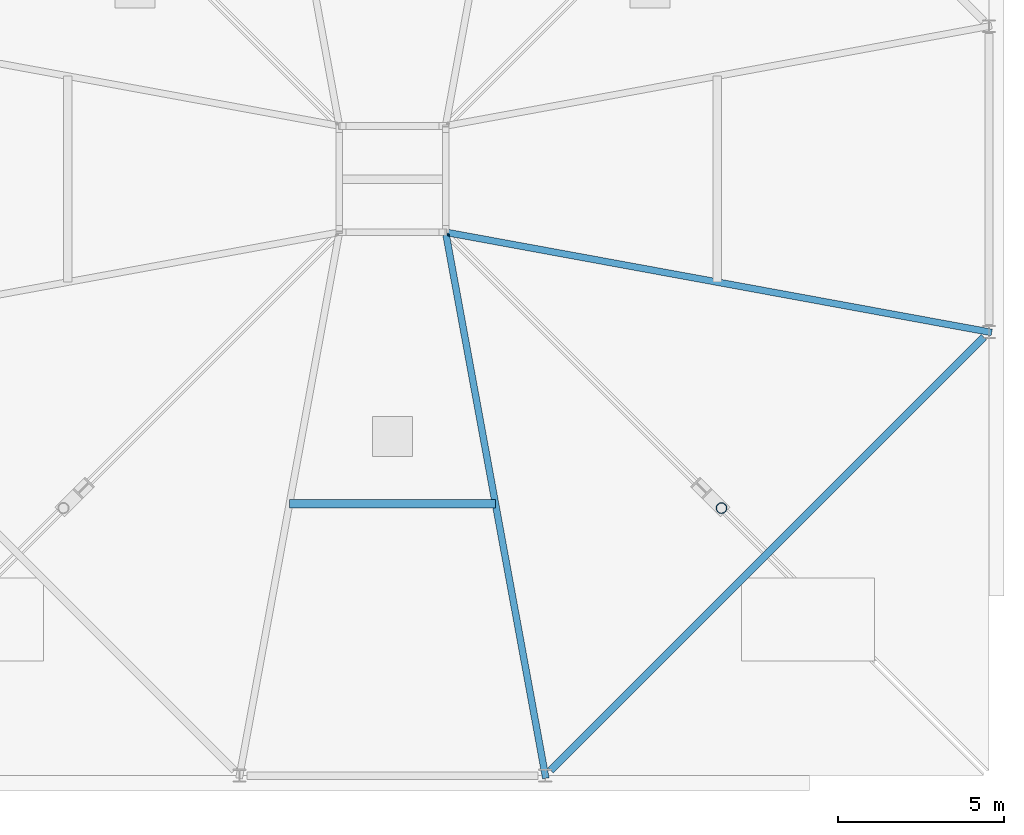
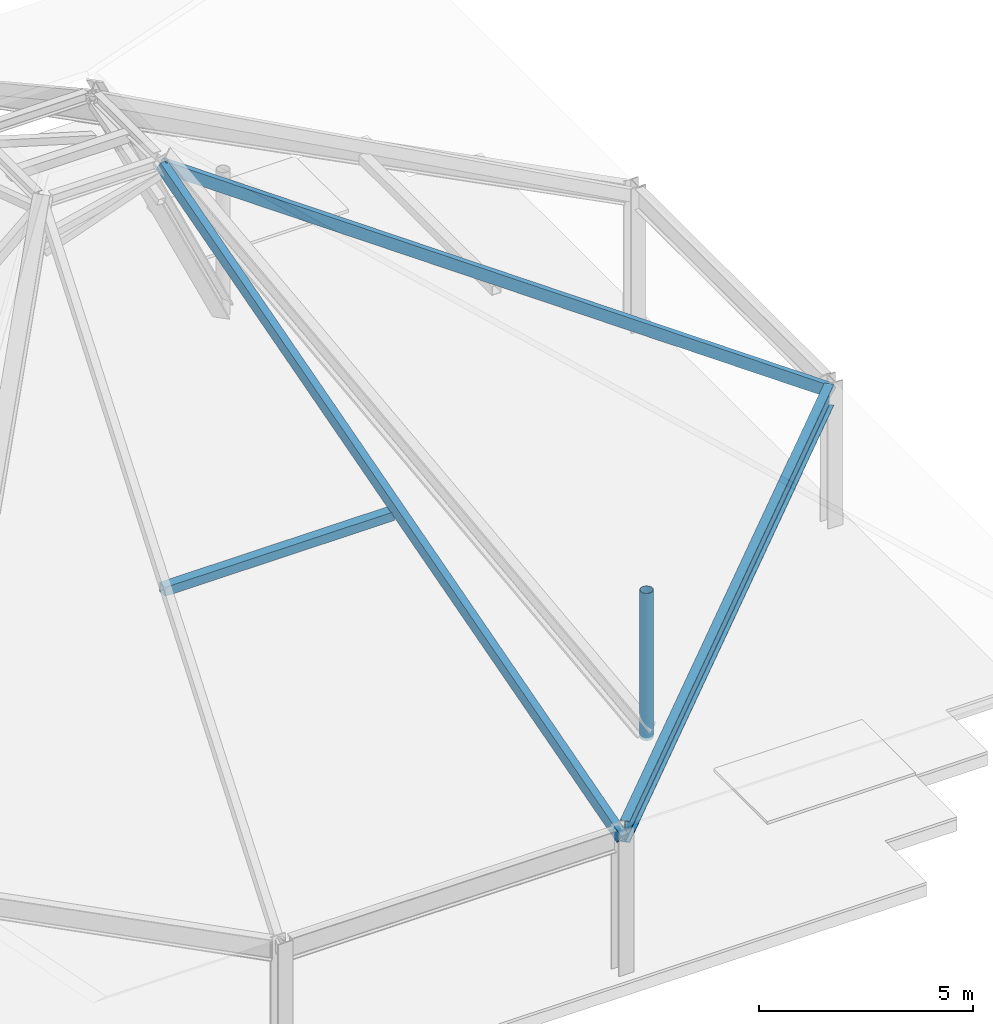
# One storey, part 3 of 7: 4 members, 1 beam.
"""IFC4 building model written with IfcOpenShell, lengths in metres."""

from ifc_helpers import new_model, si_unit, direction, frame, origin, origin_2d, place, context, subcontext, project, spatial, hollow_rectangle, hollow_circle, i_section, extrude, material, material_profile, profile_set, type_object, element, save


model = new_model("IFC4")

# Units and contexts
model_context = context("Model", 3, precision=1e-05, world=origin(), true_north=direction((0.0, 1.0)))
body_context = subcontext(model_context, "Body", "Model", "MODEL_VIEW")
ifc_project = project(units=[si_unit("LENGTHUNIT", "METRE"), si_unit("AREAUNIT", "SQUARE_METRE"), si_unit("VOLUMEUNIT", "CUBIC_METRE"), si_unit("PLANEANGLEUNIT", "RADIAN"), si_unit("MASSUNIT", "GRAM", prefix="KILO")], contexts=[model_context])

# Site, building, storey
site_placement = place(None, origin())
site = spatial("IfcSite", under=ifc_project, at=site_placement, CompositionType="ELEMENT")
building_placement = place(site_placement, origin())
building = spatial("IfcBuilding", under=site, at=building_placement, Name="Kolvaren Belvedere", CompositionType="ELEMENT")
storey_placement = place(building_placement, frame((0.0, 0.0, 287.39990234375)))
storey = spatial("IfcBuildingStorey", under=building, at=storey_placement, Name="RF", CompositionType="ELEMENT", Elevation=287.39990234375)

# Beam
ifc_material_1 = material(Name="Structural steel ASTM A992 Grade 50", Category="steel")
ifc_material_profile_1 = material_profile(ifc_material_1, i_section(OverallWidth=0.22900390625, OverallDepth=0.612060546875, WebThickness=0.011962890625, FlangeThickness=0.01953125, FilletRadius=0.01806640625, at=origin_2d()), Name="W24X84")
ifc_profile_set_1 = profile_set([ifc_material_profile_1], Name="Structural steel ASTM A992 Grade 50")
beam_type = type_object("IfcBeamType", Name="BM-SPAN-W24X84", PredefinedType="SPANDREL", material=ifc_profile_set_1)
beam_placement = place(storey_placement, frame((4.755615234375, -17.79443359375, 3.89013671875), z_axis=(0.707106781187, 0.707106781187, 0.0), x_axis=(-0.707106781187, 0.707106781187, 0.0)))
element("IfcBeam", 1, at=beam_placement, inside=storey, type_object=beam_type, Name="RF Canopy Eave Ring Spandrel 2", PredefinedType="SPANDREL", context=body_context, shape_type="SweptSolid", body=[
    extrude(i_section(OverallWidth=0.22900390625, OverallDepth=0.612060546875, WebThickness=0.011962890625, FlangeThickness=0.01953125, FilletRadius=0.01806640625, at=origin_2d()), origin(), (0.0, 0.0, 1.0), 18.439697265625),
])

# Members
ifc_material_2 = material(Name="Structural steel ASTM A500 Grade C", Category="steel")
ifc_material_profile_2 = material_profile(ifc_material_2, hollow_circle(Radius=0.162109375, WallThickness=0.01171875, at=origin_2d()), Name="HSS12.750X0.500")
ifc_profile_set_2 = profile_set([ifc_material_profile_2], Name="Structural steel ASTM A500 Grade C")
member_type_1 = type_object("IfcMemberType", Name="MB-CAN-POST", PredefinedType="POST", material=ifc_profile_set_2)
member_1_placement = place(storey_placement, frame((9.89990234375, -9.89990234375, 0.0), z_axis=(0.0, 0.0, 1.0), x_axis=(1.0, 0.0, 0.0)))
element("IfcMember", 2, at=member_1_placement, inside=storey, type_object=member_type_1, Name="RF Canopy Interior Strut Post 2", PredefinedType="POST", context=body_context, shape_type="SweptSolid", body=[
    extrude(hollow_circle(Radius=0.162109375, WallThickness=0.01171875, at=origin_2d()), origin(), (0.0, 0.0, 1.0), 4.2001953125),
])
ifc_material_3 = material(Name="Structural steel ASTM A500 Grade C", Category="steel")
ifc_material_profile_3 = material_profile(ifc_material_3, hollow_rectangle(XDim=0.25390625, YDim=0.25390625, WallThickness=0.01171875, at=origin_2d()), Name="HSS10X10X1/2")
ifc_profile_set_3 = profile_set([ifc_material_profile_3], Name="Structural steel ASTM A500 Grade C")
member_type_2 = type_object("IfcMemberType", Name="MB-CAN-PURLIN", PredefinedType="MEMBER", material=ifc_profile_set_3)
member_2_placement = place(storey_placement, frame((-3.10009765625, -9.77490234375, 8.68505859375), z_axis=(1.0, 0.0, 0.0), x_axis=(0.0, 1.0, 0.0)))
element("IfcMember", 3, at=member_2_placement, inside=storey, type_object=member_type_2, Name="RF Canopy Mid-Slope Member 1", PredefinedType="MEMBER", context=body_context, shape_type="SweptSolid", body=[
    extrude(hollow_rectangle(XDim=0.25390625, YDim=0.25390625, WallThickness=0.01171875, at=origin_2d()), origin(), (0.0, 0.0, 1.0), 6.2001953125),
])
ifc_material_4 = material(Name="Structural steel ASTM A500 Grade C", Category="steel")
ifc_material_profile_4 = material_profile(ifc_material_4, hollow_rectangle(XDim=0.202880859375, YDim=0.304931640625, WallThickness=0.01171875, at=origin_2d()), Name="HSS12X8X1/2")
ifc_profile_set_4 = profile_set([ifc_material_profile_4], Name="Structural steel ASTM A500 Grade C")
member_type_3 = type_object("IfcMemberType", Name="MB-CAN-RAFTER", PredefinedType="CHORD", material=ifc_profile_set_4)
for number, where, z_axis, x_axis, name in (
    (4, (4.60009765625, -17.949951171875, 3.85009765625), (-0.153204415765, 0.834956585234, 0.528560221512), (-0.983579583873, -0.180474935069, 0.0), "RF Canopy Mid-Face Chord 1"),
    (5, (17.949951171875, -4.60009765625, 3.85009765625), (-0.834956585234, 0.153204415765, 0.528560221512), (-0.180474935069, -0.983579583873, 0.0), "RF Canopy Hip Chord 2"),
):
    element("IfcMember", number, at=place(storey_placement, frame(where, z_axis=z_axis, x_axis=x_axis)), inside=storey, type_object=member_type_3, Name=name, PredefinedType="CHORD", context=body_context, shape_type="SweptSolid", body=[
        extrude(hollow_rectangle(XDim=0.202880859375, YDim=0.304931640625, WallThickness=0.01171875, at=origin_2d()), origin(), (0.0, 0.0, 1.0), 19.581787109375),
    ])

save(model, "model.ifc")
